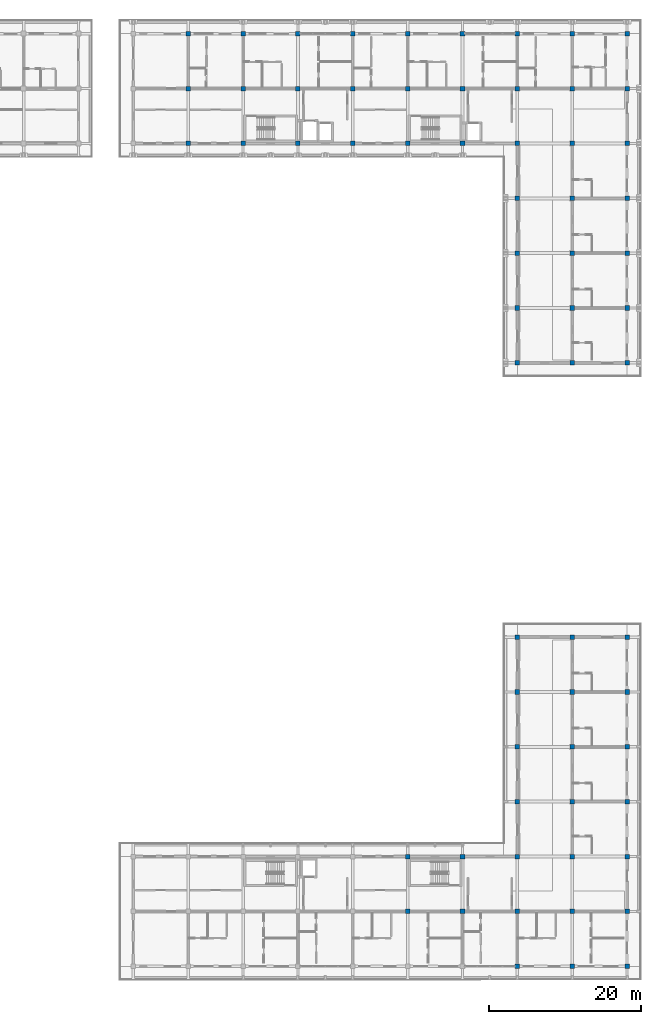
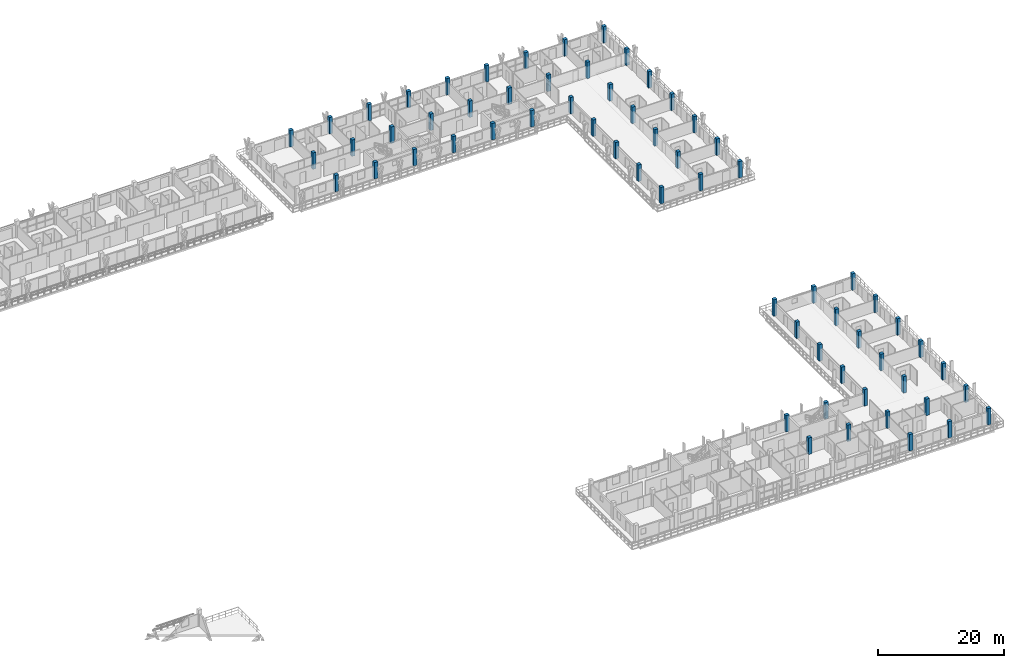
# One storey, part 2 of 78: 64 columns.
"""IFC4 building model written with IfcOpenShell, lengths in metres."""

import ifcopenshell
import ifcopenshell.guid

model = None  # the IFC model being written
_history = None  # IfcOwnerHistory: only IFC2X3 demands one
_inside = {}  # id of a spatial element -> (the spatial element, [elements in it])
_under = {}  # id of a project, library or spatial element -> (it, [spatial elements below it])
_declared = {}  # id of a project -> (the project, [libraries it declares])
_typed = {}  # id of a type object -> (the type object, [elements of that type])
_made_of = {}  # id of a material, layer set ... -> (it, [elements and type objects made of it])


def new_model(schema):
    """Start an empty IFC model of exactly this schema.

    Asked for "IFC4X3", IfcOpenShell would pick the latest addendum, in which some entities
    have other attributes; the version numbers below select the first issue.
    IFC2X3 requires an IfcOwnerHistory on every rooted entity: one is made here for all.
    """
    global model, _history
    if schema == "IFC4X3":
        model = ifcopenshell.file(schema_version=(4, 3, 0, 0))
    else:
        model = ifcopenshell.file(schema=schema)
    _inside.clear()
    _under.clear()
    _declared.clear()
    _typed.clear()
    _made_of.clear()
    _history = None
    if model.schema == "IFC2X3":
        org = make("IfcOrganization", Name="unknown")
        user = make(
            "IfcPersonAndOrganization",
            ThePerson=make("IfcPerson", FamilyName="unknown"),
            TheOrganization=org,
        )
        app = make(
            "IfcApplication",
            ApplicationDeveloper=org,
            Version="unknown",
            ApplicationFullName="unknown",
            ApplicationIdentifier="unknown",
        )
        _history = make(
            "IfcOwnerHistory",
            OwningUser=user,
            OwningApplication=app,
            ChangeAction="ADDED",
            CreationDate=0,
        )
    return model


def make(cls, **values):
    """One entity of the class cls with the attributes given. An attribute that is None is left unset."""
    return model.create_entity(
        cls, **{name: value for name, value in values.items() if value is not None}
    )


def rooted(cls, **values):
    """An entity with a GlobalId (a new one), such as an element, a storey or a relation."""
    return make(cls, GlobalId=ifcopenshell.guid.new(), OwnerHistory=_history, **values)


def si_unit(unit_type, name, prefix=None):
    """IfcSIUnit, for example si_unit("LENGTHUNIT", "METRE", prefix="MILLI")."""
    return make("IfcSIUnit", UnitType=unit_type, Prefix=prefix, Name=name)


def assignment(units):
    """IfcUnitAssignment: the units of a project."""
    return None if units is None else make("IfcUnitAssignment", Units=units)


def point(xyz):
    """IfcCartesianPoint."""
    return None if xyz is None else make("IfcCartesianPoint", Coordinates=xyz)


def direction(xyz):
    """IfcDirection."""
    return None if xyz is None else make("IfcDirection", DirectionRatios=xyz)


def frame(location, z_axis=None, x_axis=None):
    """IfcAxis2Placement3D, a coordinate frame: its origin and axes. An axis left out is left unset."""
    return make(
        "IfcAxis2Placement3D",
        Location=point(location),
        Axis=direction(z_axis),
        RefDirection=direction(x_axis),
    )


def frame_2d(location, x_axis=None):
    """IfcAxis2Placement2D, a coordinate frame in the plane: its origin and x axis."""
    return make(
        "IfcAxis2Placement2D", Location=point(location), RefDirection=direction(x_axis)
    )


def origin():
    """The frame at (0, 0, 0) with its axes left unset."""
    return frame((0.0, 0.0, 0.0))


def origin_2d():
    """The frame at (0, 0) in the plane with its x axis left unset."""
    return frame_2d((0.0, 0.0))


def place(relative_to, where):
    """IfcLocalPlacement: puts the frame where relative to a parent placement (None: the world)."""
    return make(
        "IfcLocalPlacement", PlacementRelTo=relative_to, RelativePlacement=where
    )


def context(
    kind, dimensions, precision=None, world=None, true_north=None, identifier=None
):
    """IfcGeometricRepresentationContext, for example the 3D "Model" context."""
    return make(
        "IfcGeometricRepresentationContext",
        ContextIdentifier=identifier,
        ContextType=kind,
        CoordinateSpaceDimension=dimensions,
        Precision=precision,
        WorldCoordinateSystem=world,
        TrueNorth=true_north,
    )


def subcontext(parent, identifier, kind, view, scale=None):
    """IfcGeometricRepresentationSubContext, for example "Body" below "Model"."""
    return make(
        "IfcGeometricRepresentationSubContext",
        ContextIdentifier=identifier,
        ContextType=kind,
        ParentContext=parent,
        TargetScale=scale,
        TargetView=view,
    )


def project(units=None, contexts=None):
    """IfcProject with its units and contexts."""
    return rooted(
        "IfcProject",
        Name="project",
        RepresentationContexts=contexts,
        UnitsInContext=assignment(units),
    )


def spatial(cls, under=None, at=None, **own):
    """A site, building, storey or space (cls), placed at a placement, below another one or the project."""
    s = rooted(cls, ObjectPlacement=at, **own)
    if under is not None:
        _under.setdefault(under.id(), (under, []))[1].append(s)
    return s


def profile(cls, at=None, kind="AREA", **sizes):
    """A parametric profile (cls). Its sizes go by their IFC names, for example OverallWidth=200.0."""
    return make(cls, ProfileType=kind, Position=at, **sizes)


def rectangle(**sizes):
    """IfcRectangleProfileDef."""
    return profile("IfcRectangleProfileDef", **sizes)


def extrude(swept, where, along, depth):
    """IfcExtrudedAreaSolid: the profile swept, set in the frame where, extruded along a direction by depth."""
    return make(
        "IfcExtrudedAreaSolid",
        SweptArea=swept,
        Position=where,
        ExtrudedDirection=direction(along),
        Depth=depth,
    )


def shape(context_of_items, identifier, shape_type, items):
    """IfcShapeRepresentation: the items that make up one representation, for example the "Body"."""
    return make(
        "IfcShapeRepresentation",
        ContextOfItems=context_of_items,
        RepresentationIdentifier=identifier,
        RepresentationType=shape_type,
        Items=items,
    )


def material(Name=None, Category=None):
    """IfcMaterial."""
    return make("IfcMaterial", Name=Name, Category=Category)


def material_profile(
    of_material, cross_section, Name=None, Category=None, Priority=None
):
    """IfcMaterialProfile: a cross section and its material."""
    return make(
        "IfcMaterialProfile",
        Name=Name,
        Material=of_material,
        Profile=cross_section,
        Priority=Priority,
        Category=Category,
    )


def profile_set(profiles, Name=None, composite=None):
    """IfcMaterialProfileSet."""
    return make(
        "IfcMaterialProfileSet",
        Name=Name,
        MaterialProfiles=profiles,
        CompositeProfile=composite,
    )


def made_of(thing, what):
    """Note that an element or type object is made of a material, layer set ...; save() writes the relation."""
    if what is not None:
        _made_of.setdefault(what.id(), (what, []))[1].append(thing)
    return thing


def type_object(cls, material=None, **own):
    """A type object (cls), such as IfcWallType, which elements share."""
    return made_of(rooted(cls, **own), material)


def element(
    cls,
    number,
    at=None,
    inside=None,
    cuts=None,
    type_object=None,
    material=None,
    context=None,
    identifier="Body",
    shape_type=None,
    held_by="IfcProductDefinitionShape",
    body=None,
    shapes=None,
    **own,
):
    """One element of the class cls, such as IfcWall. Its Tag is "e" and its number.

    at: its placement. inside: the storey or other place that contains it. cuts: it is an
    opening in that element (IfcRelVoidsElement). A single representation is given by context,
    identifier, shape_type and body (its items); several are given by shapes. held_by: the class
    of the entity that holds the representations. save() writes the other relations.
    """
    e = rooted(cls, Tag="e%d" % number, ObjectPlacement=at, **own)
    if body is not None:
        shapes = [shape(context, identifier, shape_type, body)]
    if shapes is not None:
        e.Representation = make(held_by, Representations=shapes)
    if inside is not None:
        _inside.setdefault(inside.id(), (inside, []))[1].append(e)
    if cuts is not None:
        rooted(
            "IfcRelVoidsElement", RelatingBuildingElement=cuts, RelatedOpeningElement=e
        )
    if type_object is not None:
        _typed.setdefault(type_object.id(), (type_object, []))[1].append(e)
    return made_of(e, material)


def aggregate(whole, parts):
    """IfcRelAggregates: a whole, such as a stair, and the parts it consists of."""
    return rooted("IfcRelAggregates", RelatingObject=whole, RelatedObjects=parts)


def save(model, path):
    """Write the relations noted so far, then the file.

    IfcRelAggregates (storeys below a building ...), IfcRelContainedInSpatialStructure (elements
    in a storey), IfcRelDefinesByType, IfcRelAssociatesMaterial and IfcRelDeclares: one each for
    every whole, place, type object, material and project.
    """
    for whole, parts in _under.values():
        aggregate(whole, parts)
    for where, things in _inside.values():
        rooted(
            "IfcRelContainedInSpatialStructure",
            RelatedElements=things,
            RelatingStructure=where,
        )
    for kind, things in _typed.values():
        rooted("IfcRelDefinesByType", RelatedObjects=things, RelatingType=kind)
    for what, things in _made_of.values():
        rooted("IfcRelAssociatesMaterial", RelatedObjects=things, RelatingMaterial=what)
    for by, libraries in _declared.values():
        rooted("IfcRelDeclares", RelatingContext=by, RelatedDefinitions=libraries)
    model.write(path)


model = new_model("IFC4")

# Units and contexts
model_context = context("Model", 3, precision=1e-05, world=origin(), true_north=direction((0.0, 1.0)))
body_context = subcontext(model_context, "Body", "Model", "MODEL_VIEW")
ifc_project = project(units=[si_unit("LENGTHUNIT", "METRE"), si_unit("AREAUNIT", "SQUARE_METRE"), si_unit("VOLUMEUNIT", "CUBIC_METRE"), si_unit("PLANEANGLEUNIT", "RADIAN"), si_unit("MASSUNIT", "GRAM", prefix="KILO")], contexts=[model_context])

# Site, building, storey
site_placement = place(None, origin())
site = spatial("IfcSite", under=ifc_project, at=site_placement, CompositionType="ELEMENT")
building_placement = place(site_placement, origin())
building = spatial("IfcBuilding", under=site, at=building_placement, Name="Suanplinth Sawtooth Commons", CompositionType="ELEMENT")
storey_placement = place(building_placement, frame((0.0, 0.0, 15.39990234375)))
storey = spatial("IfcBuildingStorey", under=building, at=storey_placement, Name="L04", CompositionType="ELEMENT", Elevation=15.39990234375)

# Columns
ifc_material = material(Name="Precast concrete C40/50", Category="concrete")
ifc_material_profile = material_profile(ifc_material, rectangle(XDim=0.60009765625, YDim=0.60009765625, at=origin_2d()), Name="PC-COL 600x600")
ifc_profile_set = profile_set([ifc_material_profile], Name="Precast concrete C40/50")
column_type = type_object("IfcColumnType", Name="C-04", PredefinedType="COLUMN", material=ifc_profile_set)
for number, where, z_axis, x_axis, name in (
    (1, (129.60009765625, 108.0, 0.0), (0.0, 0.0, 1.0), (1.0, 0.0, 0.0), "Column L04 19/R"),
    (2, (129.60009765625, 115.199951171875, 0.0), (0.0, 0.0, 1.0), (1.0, 0.0, 0.0), "Column L04 19/S"),
    (3, (129.60009765625, 122.39990234375, 0.0), (0.0, 0.0, 1.0), (1.0, 0.0, 0.0), "Column L04 19/T"),
    (4, (136.800048828125, 108.0, 0.0), (0.0, 0.0, 1.0), (1.0, 0.0, 0.0), "Column L04 20/R"),
    (5, (136.800048828125, 115.199951171875, 0.0), (0.0, 0.0, 1.0), (1.0, 0.0, 0.0), "Column L04 20/S"),
    (6, (136.800048828125, 122.39990234375, 0.0), (0.0, 0.0, 1.0), (1.0, 0.0, 0.0), "Column L04 20/T"),
    (7, (144.0, 108.0, 0.0), (0.0, 0.0, 1.0), (1.0, 0.0, 0.0), "Column L04 21/R"),
    (8, (144.0, 115.199951171875, 0.0), (0.0, 0.0, 1.0), (1.0, 0.0, 0.0), "Column L04 21/S"),
    (9, (144.0, 122.39990234375, 0.0), (0.0, 0.0, 1.0), (1.0, 0.0, 0.0), "Column L04 21/T"),
    (10, (151.199951171875, 108.0, 0.0), (0.0, 0.0, 1.0), (1.0, 0.0, 0.0), "Column L04 22/R"),
    (11, (151.199951171875, 115.199951171875, 0.0), (0.0, 0.0, 1.0), (1.0, 0.0, 0.0), "Column L04 22/S"),
    (12, (151.199951171875, 122.39990234375, 0.0), (0.0, 0.0, 1.0), (1.0, 0.0, 0.0), "Column L04 22/T"),
    (13, (158.39990234375, 7.199951171875, 0.0), (0.0, 0.0, 1.0), (1.0, 0.0, 0.0), "Column L04 23/B"),
    (14, (158.39990234375, 14.39990234375, 0.0), (0.0, 0.0, 1.0), (1.0, 0.0, 0.0), "Column L04 23/C"),
    (15, (158.39990234375, 108.0, 0.0), (0.0, 0.0, 1.0), (1.0, 0.0, 0.0), "Column L04 23/R"),
    (16, (158.39990234375, 115.199951171875, 0.0), (0.0, 0.0, 1.0), (1.0, 0.0, 0.0), "Column L04 23/S"),
    (17, (158.39990234375, 122.39990234375, 0.0), (0.0, 0.0, 1.0), (1.0, 0.0, 0.0), "Column L04 23/T"),
    (18, (165.60009765625, 7.199951171875, 0.0), (0.0, 0.0, 1.0), (1.0, 0.0, 0.0), "Column L04 24/B"),
    (19, (165.60009765625, 14.39990234375, 0.0), (0.0, 0.0, 1.0), (1.0, 0.0, 0.0), "Column L04 24/C"),
    (20, (165.60009765625, 108.0, 0.0), (0.0, 0.0, 1.0), (1.0, 0.0, 0.0), "Column L04 24/R"),
    (21, (165.60009765625, 115.199951171875, 0.0), (0.0, 0.0, 1.0), (1.0, 0.0, 0.0), "Column L04 24/S"),
    (22, (165.60009765625, 122.39990234375, 0.0), (0.0, 0.0, 1.0), (1.0, 0.0, 0.0), "Column L04 24/T"),
    (23, (172.800048828125, 0.0, 0.0), (0.0, 0.0, 1.0), (1.0, 0.0, 0.0), "Column L04 25/A"),
    (24, (172.800048828125, 7.199951171875, 0.0), (0.0, 0.0, 1.0), (1.0, 0.0, 0.0), "Column L04 25/B"),
    (25, (172.800048828125, 14.39990234375, 0.0), (0.0, 0.0, 1.0), (1.0, 0.0, 0.0), "Column L04 25/C"),
    (26, (172.800048828125, 21.60009765625, 0.0), (0.0, 0.0, 1.0), (1.0, 0.0, 0.0), "Column L04 25/D"),
    (27, (172.800048828125, 28.800048828125, 0.0), (0.0, 0.0, 1.0), (1.0, 0.0, 0.0), "Column L04 25/E"),
    (28, (172.800048828125, 36.0, 0.0), (0.0, 0.0, 1.0), (1.0, 0.0, 0.0), "Column L04 25/F"),
    (29, (172.800048828125, 43.199951171875, 0.0), (0.0, 0.0, 1.0), (1.0, 0.0, 0.0), "Column L04 25/G"),
    (30, (172.800048828125, 79.199951171875, 0.0), (0.0, 0.0, 1.0), (1.0, 0.0, 0.0), "Column L04 25/M"),
    (31, (172.800048828125, 86.39990234375, 0.0), (0.0, 0.0, 1.0), (1.0, 0.0, 0.0), "Column L04 25/N"),
    (32, (172.800048828125, 93.60009765625, 0.0), (0.0, 0.0, 1.0), (1.0, 0.0, 0.0), "Column L04 25/P"),
    (33, (172.800048828125, 100.800048828125, 0.0), (0.0, 0.0, 1.0), (1.0, 0.0, 0.0), "Column L04 25/Q"),
    (34, (172.800048828125, 108.0, 0.0), (0.0, 0.0, 1.0), (1.0, 0.0, 0.0), "Column L04 25/R"),
    (35, (172.800048828125, 115.199951171875, 0.0), (0.0, 0.0, 1.0), (1.0, 0.0, 0.0), "Column L04 25/S"),
    (36, (172.800048828125, 122.39990234375, 0.0), (0.0, 0.0, 1.0), (1.0, 0.0, 0.0), "Column L04 25/T"),
    (37, (180.0, 0.0, 0.0), (0.0, 0.0, 1.0), (1.0, 0.0, 0.0), "Column L04 26/A"),
    (38, (180.0, 7.199951171875, 0.0), (0.0, 0.0, 1.0), (1.0, 0.0, 0.0), "Column L04 26/B"),
    (39, (180.0, 14.39990234375, 0.0), (0.0, 0.0, 1.0), (1.0, 0.0, 0.0), "Column L04 26/C"),
    (40, (180.0, 21.60009765625, 0.0), (0.0, 0.0, 1.0), (1.0, 0.0, 0.0), "Column L04 26/D"),
    (41, (180.0, 28.800048828125, 0.0), (0.0, 0.0, 1.0), (1.0, 0.0, 0.0), "Column L04 26/E"),
    (42, (180.0, 36.0, 0.0), (0.0, 0.0, 1.0), (1.0, 0.0, 0.0), "Column L04 26/F"),
    (43, (180.0, 43.199951171875, 0.0), (0.0, 0.0, 1.0), (1.0, 0.0, 0.0), "Column L04 26/G"),
    (44, (180.0, 79.199951171875, 0.0), (0.0, 0.0, 1.0), (1.0, 0.0, 0.0), "Column L04 26/M"),
    (45, (180.0, 86.39990234375, 0.0), (0.0, 0.0, 1.0), (1.0, 0.0, 0.0), "Column L04 26/N"),
    (46, (180.0, 93.60009765625, 0.0), (0.0, 0.0, 1.0), (1.0, 0.0, 0.0), "Column L04 26/P"),
    (47, (180.0, 100.800048828125, 0.0), (0.0, 0.0, 1.0), (1.0, 0.0, 0.0), "Column L04 26/Q"),
    (48, (180.0, 108.0, 0.0), (0.0, 0.0, 1.0), (1.0, 0.0, 0.0), "Column L04 26/R"),
    (49, (180.0, 115.199951171875, 0.0), (0.0, 0.0, 1.0), (1.0, 0.0, 0.0), "Column L04 26/S"),
    (50, (180.0, 122.39990234375, 0.0), (0.0, 0.0, 1.0), (1.0, 0.0, 0.0), "Column L04 26/T"),
    (51, (187.199951171875, 0.0, 0.0), (0.0, 0.0, 1.0), (1.0, 0.0, 0.0), "Column L04 27/A"),
    (52, (187.199951171875, 7.199951171875, 0.0), (0.0, 0.0, 1.0), (1.0, 0.0, 0.0), "Column L04 27/B"),
    (53, (187.199951171875, 14.39990234375, 0.0), (0.0, 0.0, 1.0), (1.0, 0.0, 0.0), "Column L04 27/C"),
    (54, (187.199951171875, 21.60009765625, 0.0), (0.0, 0.0, 1.0), (1.0, 0.0, 0.0), "Column L04 27/D"),
    (55, (187.199951171875, 28.800048828125, 0.0), (0.0, 0.0, 1.0), (1.0, 0.0, 0.0), "Column L04 27/E"),
    (56, (187.199951171875, 36.0, 0.0), (0.0, 0.0, 1.0), (1.0, 0.0, 0.0), "Column L04 27/F"),
    (57, (187.199951171875, 43.199951171875, 0.0), (0.0, 0.0, 1.0), (1.0, 0.0, 0.0), "Column L04 27/G"),
    (58, (187.199951171875, 79.199951171875, 0.0), (0.0, 0.0, 1.0), (1.0, 0.0, 0.0), "Column L04 27/M"),
    (59, (187.199951171875, 86.39990234375, 0.0), (0.0, 0.0, 1.0), (1.0, 0.0, 0.0), "Column L04 27/N"),
    (60, (187.199951171875, 93.60009765625, 0.0), (0.0, 0.0, 1.0), (1.0, 0.0, 0.0), "Column L04 27/P"),
    (61, (187.199951171875, 100.800048828125, 0.0), (0.0, 0.0, 1.0), (1.0, 0.0, 0.0), "Column L04 27/Q"),
    (62, (187.199951171875, 108.0, 0.0), (0.0, 0.0, 1.0), (1.0, 0.0, 0.0), "Column L04 27/R"),
    (63, (187.199951171875, 115.199951171875, 0.0), (0.0, 0.0, 1.0), (1.0, 0.0, 0.0), "Column L04 27/S"),
    (64, (187.199951171875, 122.39990234375, 0.0), (0.0, 0.0, 1.0), (1.0, 0.0, 0.0), "Column L04 27/T"),
):
    element("IfcColumn", number, at=place(storey_placement, frame(where, z_axis=z_axis, x_axis=x_axis)), inside=storey, type_object=column_type, Name=name, PredefinedType="COLUMN", context=body_context, shape_type="SweptSolid", body=[
        extrude(rectangle(XDim=0.60009765625, YDim=0.60009765625, at=origin_2d()), origin(), (0.0, 0.0, 1.0), 3.2001953125),
    ])

save(model, "model.ifc")
